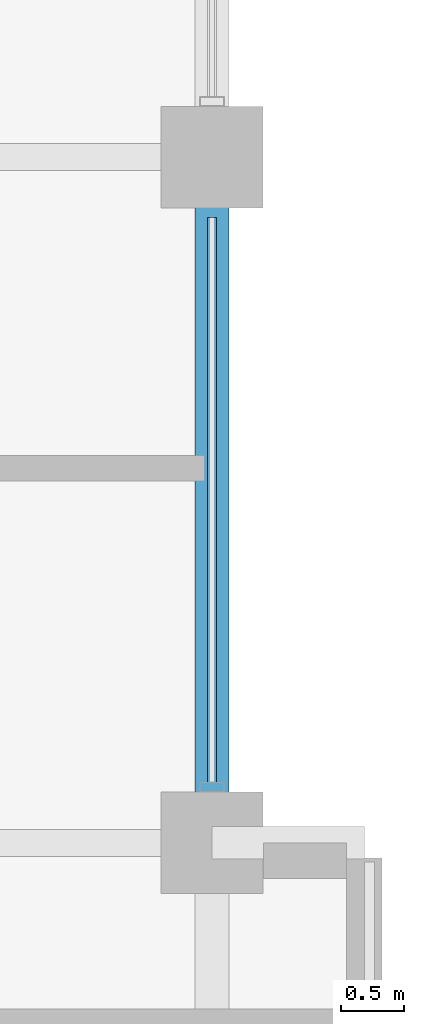
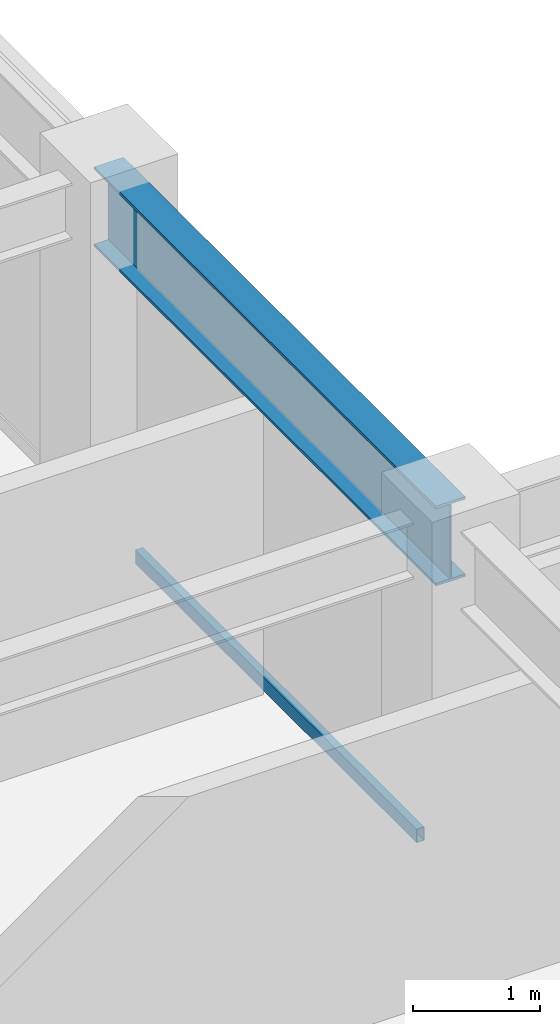
# One storey, part 12 of 28: 1 beam, 1 member, 1 element without a shape of its own.
"""IFC4 building model written with IfcOpenShell, lengths in metres."""

from ifc_helpers import new_model, si_unit, direction, frame, origin, origin_2d, place, context, subcontext, project, spatial, hollow_rectangle, i_section, extrude, material, layer, layer_set, material_profile, profile_set, type_object, element, aggregate, save


model = new_model("IFC4")

# Units and contexts
model_context = context("Model", 3, precision=1e-05, world=origin(), true_north=direction((0.0, 1.0)))
body_context = subcontext(model_context, "Body", "Model", "MODEL_VIEW")
ifc_project = project(units=[si_unit("LENGTHUNIT", "METRE"), si_unit("AREAUNIT", "SQUARE_METRE"), si_unit("VOLUMEUNIT", "CUBIC_METRE"), si_unit("PLANEANGLEUNIT", "RADIAN"), si_unit("MASSUNIT", "GRAM", prefix="KILO")], contexts=[model_context])

# Site, building, storey
site_placement = place(None, origin())
site = spatial("IfcSite", under=ifc_project, at=site_placement, CompositionType="ELEMENT")
building_placement = place(site_placement, origin())
building = spatial("IfcBuilding", under=site, at=building_placement, Name="Surkhivell Harbour Commons", CompositionType="ELEMENT")
storey_placement = place(building_placement, frame((0.0, 0.0, 242.25)))
storey = spatial("IfcBuildingStorey", under=building, at=storey_placement, Name="L63", CompositionType="ELEMENT", Elevation=242.25)

# Beam
ifc_material_1 = material(Name="Steel S355", Category="steel")
ifc_material_profile_1 = material_profile(ifc_material_1, i_section(OverallWidth=0.26806640625, OverallDepth=0.77001953125, WebThickness=0.015625, FlangeThickness=0.025390625, at=origin_2d()), Name="UB762x267x197")
ifc_profile_set_1 = profile_set([ifc_material_profile_1], Name="Steel S355")
beam_type = type_object("IfcBeamType", Name="BM-SPN-762", PredefinedType="SPANDREL", material=ifc_profile_set_1)
beam_placement = place(storey_placement, frame((21.60009765625, 5.39990234375, 3.18505859375), z_axis=(0.0, 1.0, 0.0), x_axis=(-1.0, 0.0, 0.0)))
element("IfcBeam", 1, at=beam_placement, inside=storey, type_object=beam_type, Name="L63 Tube Spandrel (21.6,5.4)", PredefinedType="SPANDREL", context=body_context, shape_type="SweptSolid", body=[
    extrude(i_section(OverallWidth=0.26806640625, OverallDepth=0.77001953125, WebThickness=0.015625, FlangeThickness=0.025390625, at=origin_2d()), origin(), (0.0, 0.0, 1.0), 5.400146484375),
])

# Curtain wall, member
ifc_material_2 = material(Name="Anodised pale-metal aluminium and insulated glazing", Category="aluminium")
ifc_layer = layer(ifc_material_2, 0.18994140625)
ifc_layer_set = layer_set([ifc_layer], Name="Anodised pale-metal aluminium and insulated glazing")
curtain_wall_type = type_object("IfcCurtainWallType", Name="CW-SYS-Z3", PredefinedType="NOTDEFINED", material=ifc_layer_set)
curtain_wall_placement = place(storey_placement, origin())
curtain_wall = element("IfcCurtainWall", 2, at=curtain_wall_placement, inside=storey, type_object=curtain_wall_type, Name="L63 Curtain Wall CW-L63-E02R2", PredefinedType="NOTDEFINED")
ifc_material_3 = material(Name="Champagne anodised aluminium alloy 6063-T6", Category="aluminium")
ifc_material_profile_2 = material_profile(ifc_material_3, hollow_rectangle(XDim=0.070068359375, YDim=0.1298828125, WallThickness=0.00341796875, at=origin_2d()), Name="ALU-TRAN-70x130")
ifc_profile_set_2 = profile_set([ifc_material_profile_2], Name="Champagne anodised aluminium alloy 6063-T6")
member_type = type_object("IfcMemberType", Name="CWT-130", PredefinedType="USERDEFINED", material=ifc_profile_set_2)
member_placement = place(storey_placement, frame((21.60009765625, 5.876953125, 0.06494140625), z_axis=(0.0, 1.0, 0.0), x_axis=(-1.0, 0.0, 0.0)))
member = element("IfcMember", 3, at=member_placement, type_object=member_type, Name="CW-Z3 transom 1.1", ObjectType="TRANSOM", PredefinedType="USERDEFINED", context=body_context, shape_type="SweptSolid", body=[
    extrude(hollow_rectangle(XDim=0.070068359375, YDim=0.1298828125, WallThickness=0.00341796875, at=origin_2d()), origin(), (0.0, 0.0, 1.0), 4.446044921875),
])
aggregate(curtain_wall, [member])

save(model, "model.ifc")
